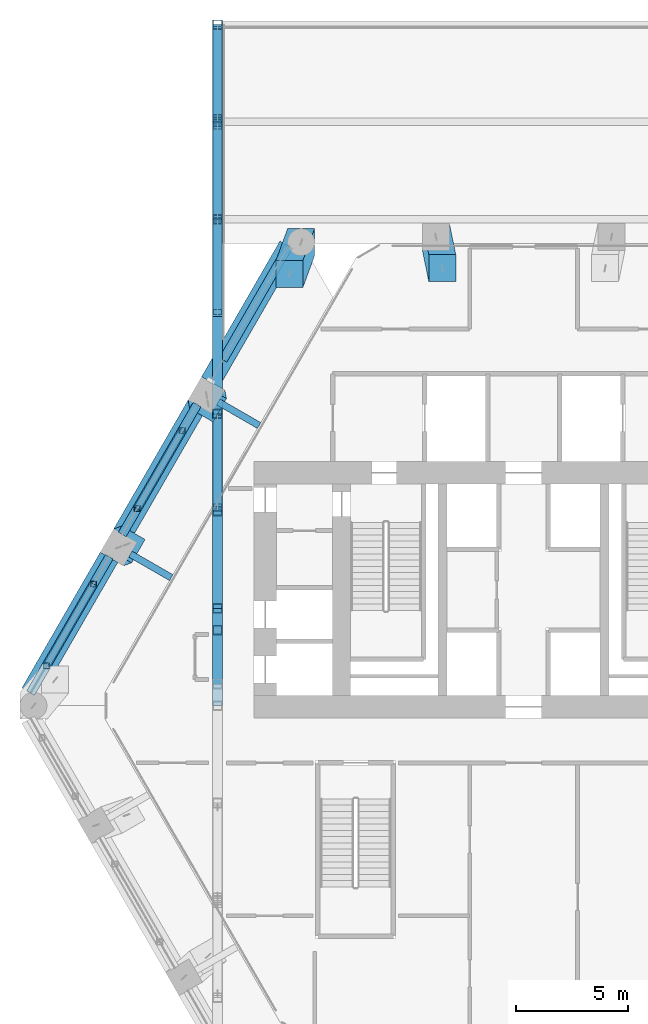
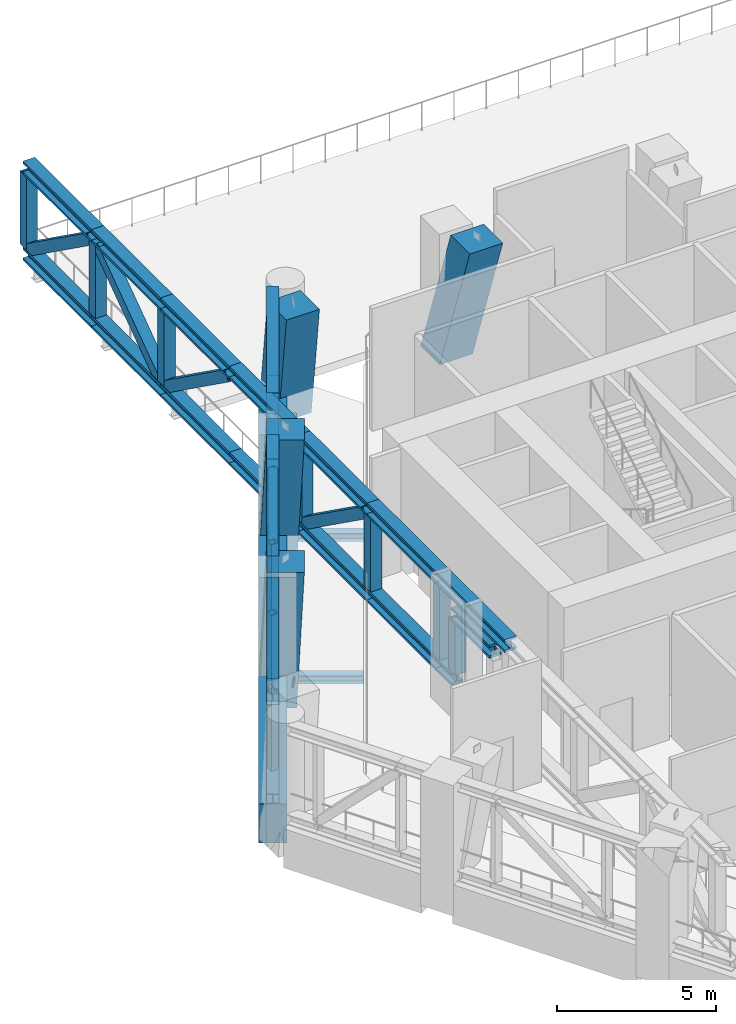
# One storey, part 6 of 22: 45 members, 5 beams.
"""IFC4 building model written with IfcOpenShell, lengths in metres."""

from ifc_helpers import new_model, si_unit, direction, frame, origin, origin_2d, place, context, subcontext, project, spatial, rectangle, hollow_rectangle, i_section, extrude, material, material_profile, profile_set, type_object, element, save


model = new_model("IFC4")

# Units and contexts
model_context = context("Model", 3, precision=1e-05, world=origin(), true_north=direction((0.0, 1.0)))
body_context = subcontext(model_context, "Body", "Model", "MODEL_VIEW")
ifc_project = project(units=[si_unit("LENGTHUNIT", "METRE"), si_unit("AREAUNIT", "SQUARE_METRE"), si_unit("VOLUMEUNIT", "CUBIC_METRE"), si_unit("PLANEANGLEUNIT", "RADIAN"), si_unit("MASSUNIT", "GRAM", prefix="KILO")], contexts=[model_context])

# Site, building, storey
site_placement = place(None, origin())
site = spatial("IfcSite", under=ifc_project, at=site_placement, CompositionType="ELEMENT")
building_placement = place(site_placement, origin())
building = spatial("IfcBuilding", under=site, at=building_placement, Name="Ostrander Bayou Hotel Tower", CompositionType="ELEMENT")
storey_placement = place(building_placement, frame((0.0, 0.0, 146.0)))
storey = spatial("IfcBuildingStorey", under=building, at=storey_placement, Name="L36", CompositionType="ELEMENT", Elevation=146.0)

# Members
ifc_material_1 = material(Name="Steel ASTM A992", Category="steel")
ifc_material_profile_1 = material_profile(ifc_material_1, i_section(OverallWidth=0.3955078125, OverallDepth=0.38037109375, WebThickness=0.01904296875, FlangeThickness=0.0302734375, at=origin_2d()))
ifc_profile_set_1 = profile_set([ifc_material_profile_1], Name="Steel ASTM A992")
member_type_1 = type_object("IfcMemberType", Name="BT3 belt truss chord W14x159", PredefinedType="CHORD", material=ifc_profile_set_1)
for number, where, z_axis, x_axis, name in (
    (1, (-10.450439453125, 19.286376953125, 0.190185546875), (-0.500005576254, -0.866022184308, 0.0), (0.866022184308, -0.500005576254, 0.0), "BT3 L36 NW-1B1"),
    (2, (-10.450439453125, 19.286376953125, 3.60986328125), (-0.500005576254, -0.866022184308, 0.0), (0.866022184308, -0.500005576254, 0.0), "BT3 L36 NW-1T1"),
):
    element("IfcMember", number, at=place(storey_placement, frame(where, z_axis=z_axis, x_axis=x_axis)), inside=storey, type_object=member_type_1, Name=name, PredefinedType="CHORD", context=body_context, shape_type="SweptSolid", body=[
        extrude(i_section(OverallWidth=0.3955078125, OverallDepth=0.38037109375, WebThickness=0.01904296875, FlangeThickness=0.0302734375, at=origin_2d()), origin(), (0.0, 0.0, 1.0), 5.84716796875),
    ])
member_1_placement = place(storey_placement, frame((-14.520751953125, 12.236572265625, 0.190185546875), z_axis=(-0.499985021357, -0.866034051535, 0.0), x_axis=(0.866034051535, -0.499985021357, 0.0)))
element("IfcMember", 3, at=member_1_placement, inside=storey, type_object=member_type_1, Name="BT3 L36 NW-2B1", PredefinedType="CHORD", context=body_context, shape_type="SweptSolid", body=[
    extrude(i_section(OverallWidth=0.3955078125, OverallDepth=0.38037109375, WebThickness=0.01904296875, FlangeThickness=0.0302734375, at=origin_2d()), origin(), (0.0, 0.0, 1.0), 5.339111328125),
])
member_2_placement = place(storey_placement, frame((-17.190185546875, 7.61279296875, 0.190185546875), z_axis=(-0.499975827765, -0.866039359181, 0.0), x_axis=(0.866039359181, -0.499975827765, 0.0)))
element("IfcMember", 4, at=member_2_placement, inside=storey, type_object=member_type_1, Name="BT3 L36 NW-2B2", PredefinedType="CHORD", context=body_context, shape_type="SweptSolid", body=[
    extrude(i_section(OverallWidth=0.3955078125, OverallDepth=0.38037109375, WebThickness=0.01904296875, FlangeThickness=0.0302734375, at=origin_2d()), origin(), (0.0, 0.0, 1.0), 1.33447265625),
])
member_3_placement = place(storey_placement, frame((-14.520751953125, 12.236572265625, 3.60986328125), z_axis=(-0.499896625304, -0.866085078967, 0.0), x_axis=(0.866085078967, -0.499896625304, 0.0)))
element("IfcMember", 5, at=member_3_placement, inside=storey, type_object=member_type_1, Name="BT3 L36 NW-2T1", PredefinedType="CHORD", context=body_context, shape_type="SweptSolid", body=[
    extrude(i_section(OverallWidth=0.3955078125, OverallDepth=0.38037109375, WebThickness=0.01904296875, FlangeThickness=0.0302734375, at=origin_2d()), origin(), (0.0, 0.0, 1.0), 1.334716796875),
])
member_4_placement = place(storey_placement, frame((-15.18798828125, 11.08056640625, 3.60986328125), z_axis=(-0.500004822225, -0.866022619654, 0.0), x_axis=(0.866022619654, -0.500004822225, 0.0)))
element("IfcMember", 6, at=member_4_placement, inside=storey, type_object=member_type_1, Name="BT3 L36 NW-2T2", PredefinedType="CHORD", context=body_context, shape_type="SweptSolid", body=[
    extrude(i_section(OverallWidth=0.3955078125, OverallDepth=0.38037109375, WebThickness=0.01904296875, FlangeThickness=0.0302734375, at=origin_2d()), origin(), (0.0, 0.0, 1.0), 5.3388671875),
])
member_5_placement = place(storey_placement, frame((-18.427490234375, 5.4697265625, 0.190185546875), z_axis=(-0.49998411664, -0.866034573852, 0.0), x_axis=(0.866034573852, -0.49998411664, 0.0)))
element("IfcMember", 7, at=member_5_placement, inside=storey, type_object=member_type_1, Name="BT3 L36 NW-3B1", PredefinedType="CHORD", context=body_context, shape_type="SweptSolid", body=[
    extrude(i_section(OverallWidth=0.3955078125, OverallDepth=0.38037109375, WebThickness=0.01904296875, FlangeThickness=0.0302734375, at=origin_2d()), origin(), (0.0, 0.0, 1.0), 1.39990234375),
])
member_6_placement = place(storey_placement, frame((-19.12744140625, 4.25732421875, 0.190185546875), z_axis=(-0.4999928794, -0.866029514825, 0.0), x_axis=(0.866029514825, -0.4999928794, 0.0)))
element("IfcMember", 8, at=member_6_placement, inside=storey, type_object=member_type_1, Name="BT3 L36 NW-3B2", PredefinedType="CHORD", context=body_context, shape_type="SweptSolid", body=[
    extrude(i_section(OverallWidth=0.3955078125, OverallDepth=0.38037109375, WebThickness=0.01904296875, FlangeThickness=0.0302734375, at=origin_2d()), origin(), (0.0, 0.0, 1.0), 5.6005859375),
])
member_7_placement = place(storey_placement, frame((-18.427490234375, 5.4697265625, 3.60986328125), z_axis=(-0.500011755427, -0.866018616679, 0.0), x_axis=(0.866018616679, -0.500011755427, 0.0)))
element("IfcMember", 9, at=member_7_placement, inside=storey, type_object=member_type_1, Name="BT3 L36 NW-3T1", PredefinedType="CHORD", context=body_context, shape_type="SweptSolid", body=[
    extrude(i_section(OverallWidth=0.3955078125, OverallDepth=0.38037109375, WebThickness=0.01904296875, FlangeThickness=0.0302734375, at=origin_2d()), origin(), (0.0, 0.0, 1.0), 5.600341796875),
])
ifc_material_2 = material(Name="Steel ASTM A500 Gr C", Category="steel")
ifc_material_profile_2 = material_profile(ifc_material_2, hollow_rectangle(XDim=0.3046875, YDim=0.3046875, WallThickness=0.01171875, at=origin_2d()))
ifc_profile_set_2 = profile_set([ifc_material_profile_2], Name="Steel ASTM A500 Gr C")
member_type_2 = type_object("IfcMemberType", Name="BT4 belt truss diagonal HSS12x12x1/2", PredefinedType="BRACE", material=ifc_profile_set_2)
member_8_placement = place(storey_placement, frame((-17.190185546875, 7.61279296875, 0.380615234375), z_axis=(0.398304972012, 0.689857800568, 0.604524080799), x_axis=(-0.866017040525, 0.50001448531, 0.0)))
element("IfcMember", 10, at=member_8_placement, inside=storey, type_object=member_type_2, Name="BT4 L36 NW-2D", PredefinedType="BRACE", context=body_context, shape_type="SweptSolid", body=[
    extrude(hollow_rectangle(XDim=0.3046875, YDim=0.3046875, WallThickness=0.01171875, at=origin_2d()), origin(), (0.0, 0.0, 1.0), 5.02685546875),
])
member_9_placement = place(storey_placement, frame((-19.12744140625, 4.25732421875, 0.380615234375), z_axis=(-0.40512216744, -0.701652946049, 0.58613920936), x_axis=(0.86601329827, -0.50002096678, 0.0)))
element("IfcMember", 11, at=member_9_placement, inside=storey, type_object=member_type_2, Name="BT4 L36 NW-3D", PredefinedType="BRACE", context=body_context, shape_type="SweptSolid", body=[
    extrude(hollow_rectangle(XDim=0.3046875, YDim=0.3046875, WallThickness=0.01171875, at=origin_2d()), origin(), (0.0, 0.0, 1.0), 5.1845703125),
])
ifc_material_3 = material(Name="Steel ASTM A500 Gr C", Category="steel")
ifc_material_profile_3 = material_profile(ifc_material_3, hollow_rectangle(XDim=0.25390625, YDim=0.25390625, WallThickness=0.0087890625, at=origin_2d()))
ifc_profile_set_3 = profile_set([ifc_material_profile_3], Name="Steel ASTM A500 Gr C")
member_type_3 = type_object("IfcMemberType", Name="BT8 belt truss vertical HSS10x10x3/8", PredefinedType="POST", material=ifc_profile_set_3)
for number, where, z_axis, x_axis, name in (
    (12, (-15.18798828125, 11.08056640625, 0.380615234375), (0.0, 0.0, 1.0), (1.0, 0.0, 0.0), "BT8 L36 NW-2V1"),
    (13, (-17.190185546875, 7.61279296875, 0.380615234375), (0.0, 0.0, 1.0), (1.0, 0.0, 0.0), "BT8 L36 NW-2V2"),
    (14, (-19.12744140625, 4.25732421875, 0.380615234375), (0.0, 0.0, 1.0), (1.0, 0.0, 0.0), "BT8 L36 NW-3V1"),
    (15, (-21.227783203125, 0.61962890625, 0.380615234375), (0.0, 0.0, 1.0), (1.0, 0.0, 0.0), "BT8 L36 NW-3V2"),
):
    element("IfcMember", number, at=place(storey_placement, frame(where, z_axis=z_axis, x_axis=x_axis)), inside=storey, type_object=member_type_3, Name=name, PredefinedType="POST", context=body_context, shape_type="SweptSolid", body=[
        extrude(hollow_rectangle(XDim=0.25390625, YDim=0.25390625, WallThickness=0.0087890625, at=origin_2d()), origin(), (0.0, 0.0, 1.0), 3.038818359375),
    ])
ifc_material_4 = material(Name="Concrete f'c 70 MPa", Category="concrete")
ifc_material_profile_4 = material_profile(ifc_material_4, rectangle(XDim=1.199951171875, YDim=1.199951171875, at=origin_2d()))
ifc_profile_set_4 = profile_set([ifc_material_profile_4], Name="Concrete f'c 70 MPa")
member_type_4 = type_object("IfcMemberType", Name="KC2 kinked column 1200 x 1200 mm f'c 70 MPa", PredefinedType="STRUT", material=ifc_profile_set_4)
member_10_placement = place(storey_placement, frame((-9.899169921875, 19.458740234375, -1.199951171875), z_axis=(0.0, 0.0, 1.0), x_axis=(1.0, 0.0, 0.0)))
element("IfcMember", 16, at=member_10_placement, inside=storey, type_object=member_type_4, Name="KC2 L36 K0", PredefinedType="STRUT", context=body_context, shape_type="SweptSolid", body=[
    extrude(rectangle(XDim=1.199951171875, YDim=1.199951171875, at=origin_2d()), origin(), (-0.099446059846, -0.270659727526, 0.95752482635), 5.2216796875),
])
member_11_placement = place(storey_placement, frame((-3.90673828125, 19.699951171875, -1.199951171875), z_axis=(0.0, 0.0, 1.0), x_axis=(1.0, 0.0, 0.0)))
element("IfcMember", 17, at=member_11_placement, inside=storey, type_object=member_type_4, Name="KC2 L36 N2", PredefinedType="STRUT", context=body_context, shape_type="SweptSolid", body=[
    extrude(rectangle(XDim=1.199951171875, YDim=1.199951171875, at=origin_2d()), origin(), (0.055491962132, -0.269197048107, 0.961485096832), 5.2001953125),
])
member_12_placement = place(storey_placement, frame((-14.105712890625, 12.655029296875, -1.199951171875), z_axis=(0.0, 0.0, 1.0), x_axis=(0.5, 0.866025403784, 0.0)))
element("IfcMember", 18, at=member_12_placement, inside=storey, type_object=member_type_4, Name="KC2 L36 NW1", PredefinedType="STRUT", context=body_context, shape_type="SweptSolid", body=[
    extrude(rectangle(XDim=1.199951171875, YDim=1.199951171875, at=origin_2d()), origin(), (-0.057597448703, -0.04854619776, 0.997158864267), 5.01416015625),
])
member_13_placement = place(storey_placement, frame((-18.012451171875, 5.888427734375, -1.199951171875), z_axis=(0.0, 0.0, 1.0), x_axis=(0.5, 0.866025403784, 0.0)))
element("IfcMember", 19, at=member_13_placement, inside=storey, type_object=member_type_4, Name="KC2 L36 NW2", PredefinedType="STRUT", context=body_context, shape_type="SweptSolid", body=[
    extrude(rectangle(XDim=1.199951171875, YDim=1.199951171875, at=origin_2d()), origin(), (0.057558879704, -0.048570984224, 0.997159884301), 5.01416015625),
])

# Beams
ifc_material_5 = material(Name="Steel ASTM A992", Category="steel")
ifc_material_profile_5 = material_profile(ifc_material_5, i_section(OverallWidth=0.3046875, OverallDepth=0.307861328125, WebThickness=0.010009765625, FlangeThickness=0.015380859375, at=origin_2d()))
ifc_profile_set_5 = profile_set([ifc_material_profile_5], Name="Steel ASTM A992")
beam_type_1 = type_object("IfcBeamType", Name="LB1 loggia bracket W12x65", PredefinedType="BEAM", material=ifc_profile_set_5)
beam_1_placement = place(storey_placement, frame((-13.586181640625, 12.35498046875, -0.453857421875), z_axis=(0.866059744384, -0.49994051562, 0.0), x_axis=(0.49994051562, 0.866059744384, 0.0)))
element("IfcBeam", 20, at=beam_1_placement, inside=storey, type_object=beam_type_1, Name="LB1 L36 NW1", PredefinedType="BEAM", context=body_context, shape_type="SweptSolid", body=[
    extrude(i_section(OverallWidth=0.3046875, OverallDepth=0.307861328125, WebThickness=0.010009765625, FlangeThickness=0.015380859375, at=origin_2d()), origin(), (0.0, 0.0, 1.0), 2.099853515625),
])
beam_2_placement = place(storey_placement, frame((-17.492919921875, 5.58837890625, -0.453857421875), z_axis=(0.866009402589, -0.500027713859, 0.0), x_axis=(0.500027713859, 0.866009402589, 0.0)))
element("IfcBeam", 21, at=beam_2_placement, inside=storey, type_object=beam_type_1, Name="LB1 L36 NW2", PredefinedType="BEAM", context=body_context, shape_type="SweptSolid", body=[
    extrude(i_section(OverallWidth=0.3046875, OverallDepth=0.307861328125, WebThickness=0.010009765625, FlangeThickness=0.015380859375, at=origin_2d()), origin(), (0.0, 0.0, 1.0), 2.10009765625),
])
ifc_material_6 = material(Name="Concrete f'c 70 MPa", Category="concrete")
ifc_material_profile_6 = material_profile(ifc_material_6, rectangle(XDim=0.89990234375, YDim=1.5, at=origin_2d()))
ifc_profile_set_6 = profile_set([ifc_material_profile_6], Name="Concrete f'c 70 MPa")
beam_type_2 = type_object("IfcBeamType", Name="SPB2 belt spandrel beam 900 x 1500 mm f'c 70 MPa", PredefinedType="SPANDREL", material=ifc_profile_set_6)
beam_3_placement = place(storey_placement, frame((-10.450439453125, 19.286376953125, -0.75), z_axis=(-0.499991127072, -0.866030526511, 0.0), x_axis=(0.866030526511, -0.499991127072, 0.0)))
element("IfcBeam", 22, at=beam_3_placement, inside=storey, type_object=beam_type_2, Name="SP2 L36 NW-1", PredefinedType="SPANDREL", context=body_context, shape_type="SweptSolid", body=[
    extrude(rectangle(XDim=0.89990234375, YDim=1.5, at=origin_2d()), origin(), (0.0, 0.0, 1.0), 7.000732421875),
])
beam_4_placement = place(storey_placement, frame((-14.520751953125, 12.236572265625, -0.75), z_axis=(-0.499983182885, -0.866035112932, 0.0), x_axis=(0.866035112932, -0.499983182885, 0.0)))
element("IfcBeam", 23, at=beam_4_placement, inside=storey, type_object=beam_type_2, Name="SP2 L36 NW-2", PredefinedType="SPANDREL", context=body_context, shape_type="SweptSolid", body=[
    extrude(rectangle(XDim=0.89990234375, YDim=1.5, at=origin_2d()), origin(), (0.0, 0.0, 1.0), 6.673583984375),
])
beam_5_placement = place(storey_placement, frame((-18.427490234375, 5.4697265625, -0.75), z_axis=(-0.499991127072, -0.866030526511, 0.0), x_axis=(0.866030526511, -0.499991127072, 0.0)))
element("IfcBeam", 24, at=beam_5_placement, inside=storey, type_object=beam_type_2, Name="SP2 L36 NW-3", PredefinedType="SPANDREL", context=body_context, shape_type="SweptSolid", body=[
    extrude(rectangle(XDim=0.89990234375, YDim=1.5, at=origin_2d()), origin(), (0.0, 0.0, 1.0), 7.000732421875),
])

# Members
ifc_material_7 = material(Name="Steel ASTM A992", Category="steel")
ifc_material_profile_7 = material_profile(ifc_material_7, i_section(OverallWidth=0.43212890625, OverallDepth=0.497802734375, WebThickness=0.0556640625, FlangeThickness=0.0888671875, at=origin_2d()))
ifc_profile_set_7 = profile_set([ifc_material_profile_7], Name="Steel ASTM A992")
member_type_5 = type_object("IfcMemberType", Name="TT1 through-truss chord W14x500", PredefinedType="CHORD", material=ifc_profile_set_7)
for number, where, z_axis, x_axis, name in (
    (25, (-13.6201171875, 29.13720703125, 0.248779296875), (0.0, -1.0, 0.0), (1.0, 0.0, 0.0), "TT1 SB3A B1"),
    (26, (-13.6201171875, 29.13720703125, 3.551025390625), (0.0, -1.0, 0.0), (1.0, 0.0, 0.0), "TT1 SB3A T1"),
):
    element("IfcMember", number, at=place(storey_placement, frame(where, z_axis=z_axis, x_axis=x_axis)), inside=storey, type_object=member_type_5, Name=name, PredefinedType="CHORD", context=body_context, shape_type="SweptSolid", body=[
        extrude(i_section(OverallWidth=0.43212890625, OverallDepth=0.497802734375, WebThickness=0.0556640625, FlangeThickness=0.0888671875, at=origin_2d()), origin(), (0.0, 0.0, 1.0), 4.327880859375),
    ])
for number, where, z_axis, x_axis, name in (
    (27, (-13.6201171875, 24.809326171875, 0.248779296875), (0.0, -1.0, 0.0), (1.0, 0.0, 0.0), "TT1 SB3A B2"),
    (28, (-13.6201171875, 24.809326171875, 3.551025390625), (0.0, -1.0, 0.0), (1.0, 0.0, 0.0), "TT1 SB3A T2"),
    (29, (-13.6201171875, 20.481689453125, 0.248779296875), (0.0, -1.0, 0.0), (1.0, 0.0, 0.0), "TT1 SB3A B3"),
    (30, (-13.6201171875, 20.481689453125, 3.551025390625), (0.0, -1.0, 0.0), (1.0, 0.0, 0.0), "TT1 SB3A T3"),
    (31, (-13.6201171875, 16.154052734375, 0.248779296875), (0.0, -1.0, 0.0), (1.0, 0.0, 0.0), "TT1 SB3A B4"),
    (32, (-13.6201171875, 16.154052734375, 3.551025390625), (0.0, -1.0, 0.0), (1.0, 0.0, 0.0), "TT1 SB3A T4"),
    (33, (-13.6201171875, 11.826416015625, 0.248779296875), (0.0, -1.0, 0.0), (1.0, 0.0, 0.0), "TT1 SB3A B5"),
    (34, (-13.6201171875, 11.826416015625, 3.551025390625), (0.0, -1.0, 0.0), (1.0, 0.0, 0.0), "TT1 SB3A T5"),
    (35, (-13.6201171875, 7.498779296875, 0.248779296875), (0.0, -1.0, 0.0), (1.0, 0.0, 0.0), "TT1 SB3A B6"),
    (36, (-13.6201171875, 7.498779296875, 3.551025390625), (0.0, -1.0, 0.0), (1.0, 0.0, 0.0), "TT1 SB3A T6"),
):
    element("IfcMember", number, at=place(storey_placement, frame(where, z_axis=z_axis, x_axis=x_axis)), inside=storey, type_object=member_type_5, Name=name, PredefinedType="CHORD", context=body_context, shape_type="SweptSolid", body=[
        extrude(i_section(OverallWidth=0.43212890625, OverallDepth=0.497802734375, WebThickness=0.0556640625, FlangeThickness=0.0888671875, at=origin_2d()), origin(), (0.0, 0.0, 1.0), 4.32763671875),
    ])
member_14_placement = place(storey_placement, frame((-13.6201171875, 3.171142578125, 0.248779296875), z_axis=(0.0, -1.0, 0.0), x_axis=(1.0, 0.0, 0.0)))
element("IfcMember", 37, at=member_14_placement, inside=storey, type_object=member_type_5, Name="TT1 SB3A B7", PredefinedType="CHORD", context=body_context, shape_type="SweptSolid", body=[
    extrude(i_section(OverallWidth=0.43212890625, OverallDepth=0.497802734375, WebThickness=0.0556640625, FlangeThickness=0.0888671875, at=origin_2d()), origin(), (0.0, 0.0, 1.0), 0.963623046875),
])
member_15_placement = place(storey_placement, frame((-13.6201171875, 2.20751953125, 2.748779296875), z_axis=(0.0, -1.0, 0.0), x_axis=(1.0, 0.0, 0.0)))
element("IfcMember", 38, at=member_15_placement, inside=storey, type_object=member_type_5, Name="TT1 SB3A B7 (over the passage)", PredefinedType="CHORD", context=body_context, shape_type="SweptSolid", body=[
    extrude(i_section(OverallWidth=0.43212890625, OverallDepth=0.497802734375, WebThickness=0.0556640625, FlangeThickness=0.0888671875, at=origin_2d()), origin(), (0.0, 0.0, 1.0), 2.400146484375),
])
member_16_placement = place(storey_placement, frame((-13.6201171875, 3.171142578125, 3.551025390625), z_axis=(0.0, -1.0, 0.0), x_axis=(1.0, 0.0, 0.0)))
element("IfcMember", 39, at=member_16_placement, inside=storey, type_object=member_type_5, Name="TT1 SB3A T7", PredefinedType="CHORD", context=body_context, shape_type="SweptSolid", body=[
    extrude(i_section(OverallWidth=0.43212890625, OverallDepth=0.497802734375, WebThickness=0.0556640625, FlangeThickness=0.0888671875, at=origin_2d()), origin(), (0.0, 0.0, 1.0), 4.32763671875),
])
ifc_material_8 = material(Name="Steel ASTM A572 Gr 50", Category="steel")
ifc_material_profile_8 = material_profile(ifc_material_8, hollow_rectangle(XDim=0.406494140625, YDim=0.406494140625, WallThickness=0.017822265625, at=origin_2d()))
ifc_profile_set_8 = profile_set([ifc_material_profile_8], Name="Steel ASTM A572 Gr 50")
member_type_6 = type_object("IfcMemberType", Name="TT3 through-truss diagonal box 16 x 16 x 3/4", PredefinedType="BRACE", material=ifc_profile_set_8)
for number, where, z_axis, x_axis, name in (
    (40, (-13.6201171875, 28.933837890625, 0.497802734375), (0.0, -0.813377448858, 0.581736302536), (1.0, 0.0, 0.0), "TT3 SB3A D1"),
    (41, (-13.6201171875, 20.68505859375, 0.497802734375), (0.0, 0.813377448858, 0.581736302536), (-1.0, 0.0, 0.0), "TT3 SB3A D2"),
    (42, (-13.6201171875, 20.278564453125, 0.497802734375), (0.0, -0.813377448858, 0.581736302536), (1.0, 0.0, 0.0), "TT3 SB3A D3"),
):
    element("IfcMember", number, at=place(storey_placement, frame(where, z_axis=z_axis, x_axis=x_axis)), inside=storey, type_object=member_type_6, Name=name, PredefinedType="BRACE", context=body_context, shape_type="SweptSolid", body=[
        extrude(hollow_rectangle(XDim=0.406494140625, YDim=0.406494140625, WallThickness=0.017822265625, at=origin_2d()), origin(), (0.0, 0.0, 1.0), 4.82080078125),
    ])
member_17_placement = place(storey_placement, frame((-13.6201171875, 11.623291015625, 0.497802734375), z_axis=(0.0, -0.813394586263, 0.581712340456), x_axis=(1.0, 0.0, 0.0)))
element("IfcMember", 43, at=member_17_placement, inside=storey, type_object=member_type_6, Name="TT3 SB3A D5", PredefinedType="BRACE", context=body_context, shape_type="SweptSolid", body=[
    extrude(hollow_rectangle(XDim=0.406494140625, YDim=0.406494140625, WallThickness=0.017822265625, at=origin_2d()), origin(), (0.0, 0.0, 1.0), 4.821044921875),
])
ifc_material_9 = material(Name="Steel ASTM A572 Gr 50", Category="steel")
ifc_material_profile_9 = material_profile(ifc_material_9, hollow_rectangle(XDim=0.406494140625, YDim=0.406494140625, WallThickness=0.017822265625, at=origin_2d()))
ifc_profile_set_9 = profile_set([ifc_material_profile_9], Name="Steel ASTM A572 Gr 50")
member_type_7 = type_object("IfcMemberType", Name="TT4 through-truss post box 16 x 16 x 3/4", PredefinedType="POST", material=ifc_profile_set_9)
for number, where, z_axis, x_axis, name in (
    (44, (-13.6201171875, 29.13720703125, 0.497802734375), (0.0, 0.0, 1.0), (1.0, 0.0, 0.0), "TT4 SB3A P1"),
    (45, (-13.6201171875, 24.809326171875, 0.497802734375), (0.0, 0.0, 1.0), (1.0, 0.0, 0.0), "TT4 SB3A P2"),
    (46, (-13.6201171875, 20.481689453125, 0.497802734375), (0.0, 0.0, 1.0), (1.0, 0.0, 0.0), "TT4 SB3A P3"),
    (47, (-13.6201171875, 11.826416015625, 0.497802734375), (0.0, 0.0, 1.0), (1.0, 0.0, 0.0), "TT4 SB3A P5"),
    (48, (-13.6201171875, 7.498779296875, 0.497802734375), (0.0, 0.0, 1.0), (1.0, 0.0, 0.0), "TT4 SB3A P6"),
    (49, (-13.6201171875, 3.171142578125, 0.497802734375), (0.0, 0.0, 1.0), (1.0, 0.0, 0.0), "TT4 SB3A P7"),
):
    element("IfcMember", number, at=place(storey_placement, frame(where, z_axis=z_axis, x_axis=x_axis)), inside=storey, type_object=member_type_7, Name=name, PredefinedType="POST", context=body_context, shape_type="SweptSolid", body=[
        extrude(hollow_rectangle(XDim=0.406494140625, YDim=0.406494140625, WallThickness=0.017822265625, at=origin_2d()), origin(), (0.0, 0.0, 1.0), 2.804443359375),
    ])
member_18_placement = place(storey_placement, frame((-13.6201171875, 2.20751953125, 0.497802734375), z_axis=(0.0, 0.0, 1.0), x_axis=(1.0, 0.0, 0.0)))
element("IfcMember", 50, at=member_18_placement, inside=storey, type_object=member_type_7, Name="TT4 SB3A KN7a", PredefinedType="POST", context=body_context, shape_type="SweptSolid", body=[
    extrude(hollow_rectangle(XDim=0.406494140625, YDim=0.406494140625, WallThickness=0.017822265625, at=origin_2d()), origin(), (0.0, 0.0, 1.0), 2.002197265625),
])

save(model, "model.ifc")
